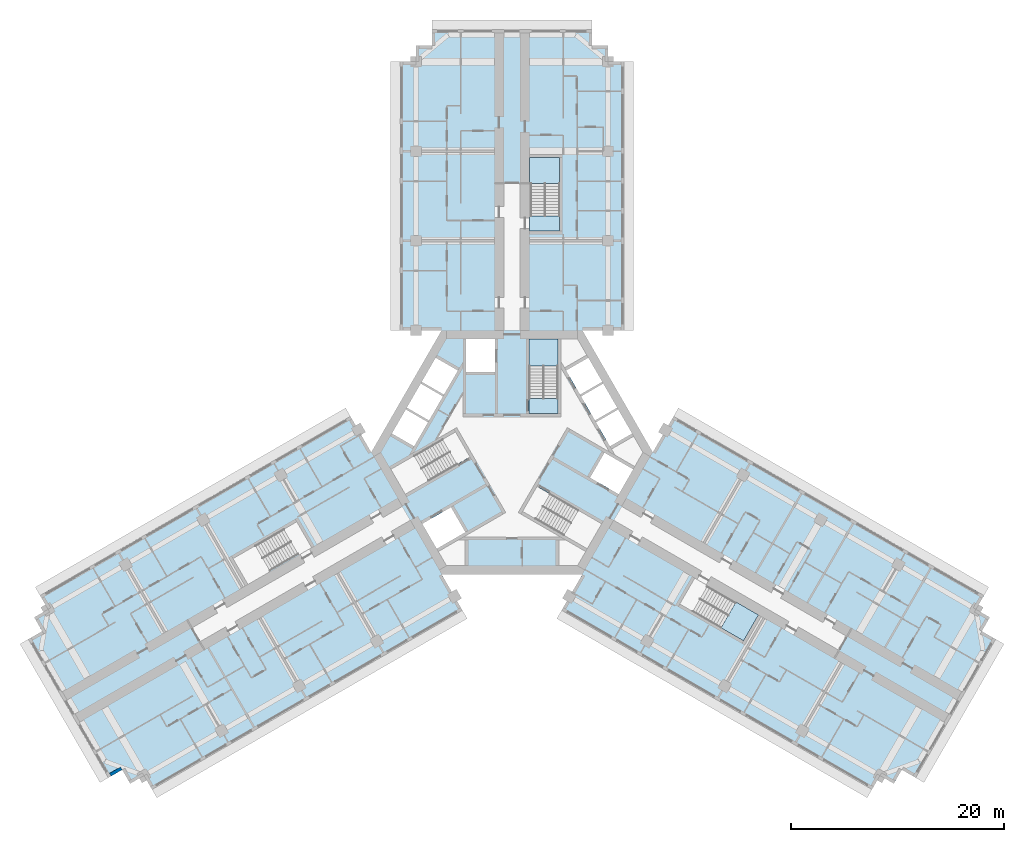
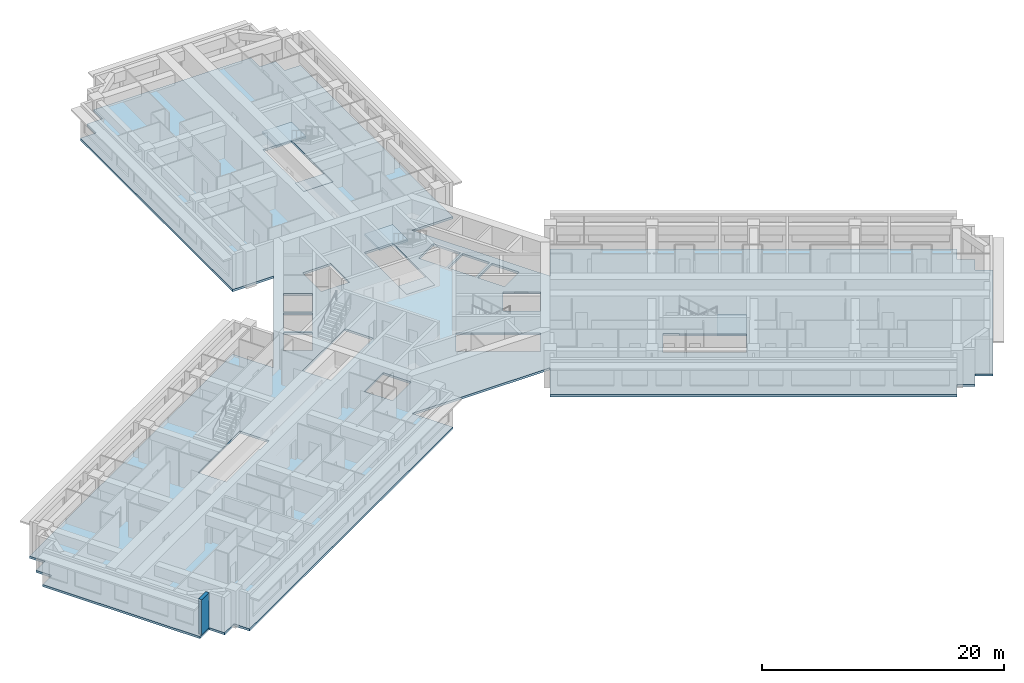
# One storey, part 2 of 14: 6 slabs, 1 wall, 3 elements without a shape of their own.
"""IFC4 building model written with IfcOpenShell, lengths in metres."""

from ifc_helpers import new_model, si_unit, direction, frame, frame_2d, origin, place, context, subcontext, project, spatial, polyline, rectangle, outline, extrude, material, layer, layer_set, type_object, element, aggregate, save


model = new_model("IFC4")

# Units and contexts
model_context = context("Model", 3, precision=1e-05, world=origin(), true_north=direction((0.0, 1.0)))
body_context = subcontext(model_context, "Body", "Model", "MODEL_VIEW")
ifc_project = project(units=[si_unit("LENGTHUNIT", "METRE"), si_unit("AREAUNIT", "SQUARE_METRE"), si_unit("VOLUMEUNIT", "CUBIC_METRE"), si_unit("PLANEANGLEUNIT", "RADIAN"), si_unit("MASSUNIT", "GRAM", prefix="KILO")], contexts=[model_context])

# Site, building, storey
site_placement = place(None, origin())
site = spatial("IfcSite", under=ifc_project, at=site_placement, CompositionType="ELEMENT")
building_placement = place(site_placement, origin())
building = spatial("IfcBuilding", under=site, at=building_placement, Name="Impinga Residences", CompositionType="ELEMENT")
storey_placement = place(building_placement, frame((0.0, 0.0, 117.25)))
storey = spatial("IfcBuildingStorey", under=building, at=storey_placement, Name="L28", CompositionType="ELEMENT", Elevation=117.25)

# Slab
ifc_material_1 = material(Name="Concrete C60/75", Category="concrete")
ifc_layer_1 = layer(ifc_material_1, 0.219970703125)
ifc_layer_set_1 = layer_set([ifc_layer_1], Name="Concrete C60/75")
slab_type_1 = type_object("IfcSlabType", Name="FS1 tower floor slab 220", PredefinedType="FLOOR", material=ifc_layer_set_1)
slab_1_placement = place(storey_placement, frame((0.0, 0.0, -0.219970703125)))
element("IfcSlab", 1, at=slab_1_placement, inside=storey, type_object=slab_type_1, Name="Floor slab FS1 L28", PredefinedType="FLOOR", context=body_context, shape_type="SweptSolid", body=[
    extrude(outline(polyline([(-34.49853515625, -30.31005859375), (-35.797607421875, -31.06005859375), (-36.547607421875, -29.760986328125), (-37.846435546875, -30.510986328125), (-45.346435546875, -17.5205078125), (-44.047607421875, -16.7705078125), (-44.797607421875, -15.471435546875), (-43.49853515625, -14.721435546875), (-44.24853515625, -13.422607421875), (-15.14990234375, 3.37744140625), (-13.199951171875, 0.0), (-6.60009765625, 11.431640625), (-10.5, 11.431640625), (-10.5, 36.631591796875), (-9.0, 36.631591796875), (-9.0, 38.131591796875), (-7.5, 38.131591796875), (-7.5, 39.631591796875), (7.5, 39.631591796875), (7.5, 38.131591796875), (9.0, 38.131591796875), (9.0, 36.631591796875), (10.5, 36.631591796875), (10.5, 11.431640625), (6.60009765625, 11.431640625), (13.199951171875, 0.0), (15.14990234375, 3.37744140625), (44.24853515625, -13.422607421875), (43.49853515625, -14.721435546875), (44.797607421875, -15.471435546875), (44.047607421875, -16.7705078125), (45.346435546875, -17.5205078125), (37.846435546875, -30.510986328125), (36.547607421875, -29.760986328125), (35.797607421875, -31.06005859375), (34.49853515625, -30.31005859375), (33.74853515625, -31.609130859375), (4.64990234375, -14.80908203125), (9.900146484375, -5.7158203125), (6.60009765625, -11.431640625), (-6.60009765625, -11.431640625), (-9.900146484375, -5.7158203125), (-4.64990234375, -14.80908203125), (-33.74853515625, -31.609130859375), (-34.49853515625, -30.31005859375)]), holes=[polyline([(-18.779052734375, -8.936767578125), (-18.8291015625, -8.850341796875), (-18.8291015625, -8.850341796875), (-20.178955078125, -6.511962890625), (-21.391357421875, -7.2119140625), (-21.391357421875, -7.2119140625), (-26.154541015625, -9.9619140625), (-24.8046875, -12.30029296875), (-20.04150390625, -9.55029296875), (-19.991455078125, -9.63671875), (-18.779052734375, -8.936767578125)]), polyline([(-4.37109375, -7.489013671875), (-5.72119140625, -5.150634765625), (-8.4072265625, -6.701416015625), (-7.05712890625, -9.039794921875), (-4.37109375, -7.489013671875)]), polyline([(-3.943603515625, -0.429443359375), (-5.293701171875, 1.908935546875), (-11.357177734375, -1.591796875), (-10.007080078125, -3.93017578125), (-3.943603515625, -0.429443359375)]), polyline([(-7.878662109375, 2.816650390625), (-9.957275390625, 4.016845703125), (-11.257080078125, 1.76513671875), (-9.1787109375, 0.56494140625), (-7.878662109375, 2.816650390625)]), polyline([(-6.478759765625, 5.24169921875), (-8.55712890625, 6.441650390625), (-9.857177734375, 4.18994140625), (-7.77880859375, 2.989990234375), (-6.478759765625, 5.24169921875)]), polyline([(4.300048828125, 3.6298828125), (4.300048828125, 10.631591796875), (1.60009765625, 10.631591796875), (1.60009765625, 3.6298828125), (4.300048828125, 3.6298828125)]), polyline([(-6.378662109375, 5.414794921875), (-5.07861328125, 7.66650390625), (-7.1572265625, 8.866455078125), (-8.457275390625, 6.61474609375), (-6.378662109375, 5.414794921875)]), polyline([(-4.300048828125, 7.530029296875), (-1.60009765625, 7.530029296875), (-1.60009765625, 10.631591796875), (-4.300048828125, 10.631591796875), (-4.300048828125, 7.530029296875)]), polyline([(4.449951171875, 20.7314453125), (4.449951171875, 22.131591796875), (4.449951171875, 27.631591796875), (1.75, 27.631591796875), (1.75, 22.131591796875), (1.64990234375, 22.131591796875), (1.64990234375, 20.7314453125), (1.75, 20.7314453125), (4.449951171875, 20.7314453125)]), polyline([(15.72900390625, -14.219482421875), (21.70458984375, -17.669677734375), (23.0546875, -15.331298828125), (18.29150390625, -12.581298828125), (18.341552734375, -12.49462890625), (17.129150390625, -11.794677734375), (15.72900390625, -14.219482421875)]), polyline([(2.34375, -3.20068359375), (0.99365234375, -5.538818359375), (7.05712890625, -9.039794921875), (8.4072265625, -6.701416015625), (2.34375, -3.20068359375)]), polyline([(7.3212890625, -2.37939453125), (10.007080078125, -3.93017578125), (11.357177734375, -1.591796875), (8.671142578125, -0.041015625), (7.3212890625, -2.37939453125)]), polyline([(7.878662109375, 2.816650390625), (9.1787109375, 0.56494140625), (11.257080078125, 1.76513671875), (9.957275390625, 4.016845703125), (7.878662109375, 2.816650390625)]), polyline([(6.478759765625, 5.24169921875), (7.77880859375, 2.989990234375), (9.857177734375, 4.18994140625), (8.55712890625, 6.441650390625), (6.478759765625, 5.24169921875)]), polyline([(6.378662109375, 5.414794921875), (8.457275390625, 6.61474609375), (7.1572265625, 8.866455078125), (5.07861328125, 7.66650390625), (6.378662109375, 5.414794921875)])]), origin(), (0.0, 0.0, 1.0), 0.219970703125),
])

# Stair, slabs
ifc_material_2 = material(Name="Concrete C40/50", Category="concrete")
stair_type_1 = type_object("IfcStairType", Name="STR core stair 3750 storey, 24 risers", PredefinedType="HALF_TURN_STAIR", material=ifc_material_2)
stair_1_placement = place(storey_placement, origin())
stair_1 = element("IfcStair", 2, at=stair_1_placement, inside=storey, type_object=stair_type_1, Name="Stair ST1 L28", PredefinedType="HALF_TURN_STAIR")
ifc_layer_2 = layer(ifc_material_2, 0.199951171875)
ifc_layer_set_2 = layer_set([ifc_layer_2], Name="Concrete C40/50")
slab_type_2 = type_object("IfcSlabType", Name="LS1 stair landing 200", PredefinedType="LANDING", material=ifc_layer_set_2)
slab_2_placement = place(storey_placement, frame((0.0, 0.0, -0.199951171875)))
slab_2 = element("IfcSlab", 3, at=slab_2_placement, type_object=slab_type_2, Name="ST1 landing 1", PredefinedType="LANDING", context=body_context, shape_type="SweptSolid", body=[
    extrude(outline(polyline([(1.60009765625, 3.6298828125), (4.300048828125, 3.6298828125), (4.300048828125, 5.0400390625), (1.60009765625, 5.0400390625), (1.60009765625, 3.6298828125)])), origin(), (0.0, 0.0, 1.0), 0.199951171875),
])
slab_3_placement = place(storey_placement, frame((0.0, 0.0, 1.675048828125)))
slab_3 = element("IfcSlab", 4, at=slab_3_placement, type_object=slab_type_2, Name="ST1 landing 2", PredefinedType="LANDING", context=body_context, shape_type="SweptSolid", body=[
    extrude(outline(polyline([(1.60009765625, 8.10009765625), (4.300048828125, 8.10009765625), (4.300048828125, 10.631591796875), (1.60009765625, 10.631591796875), (1.60009765625, 8.10009765625)])), origin(), (0.0, 0.0, 1.0), 0.199951171875),
])
aggregate(stair_1, [slab_2, slab_3])

stair_type_2 = type_object("IfcStairType", Name="STR wing stair 3750 storey, 24 risers", PredefinedType="HALF_TURN_STAIR", material=ifc_material_2)
stair_2_placement = place(storey_placement, origin())
stair_2 = element("IfcStair", 5, at=stair_2_placement, inside=storey, type_object=stair_type_2, Name="Stair WS1 L28", PredefinedType="HALF_TURN_STAIR")
slab_4_placement = place(storey_placement, frame((0.0, 0.0, -0.199951171875)))
slab_4 = element("IfcSlab", 6, at=slab_4_placement, type_object=slab_type_2, Name="WS1 landing 1", PredefinedType="LANDING", context=body_context, shape_type="SweptSolid", body=[
    extrude(outline(polyline([(1.64990234375, 20.7314453125), (4.449951171875, 20.7314453125), (4.449951171875, 22.1416015625), (1.64990234375, 22.1416015625), (1.64990234375, 20.7314453125)])), origin(), (0.0, 0.0, 1.0), 0.199951171875),
])
slab_5_placement = place(storey_placement, frame((0.0, 0.0, 1.675048828125)))
slab_5 = element("IfcSlab", 7, at=slab_5_placement, type_object=slab_type_2, Name="WS1 landing 2", PredefinedType="LANDING", context=body_context, shape_type="SweptSolid", body=[
    extrude(outline(polyline([(1.64990234375, 25.201416015625), (4.449951171875, 25.201416015625), (4.449951171875, 27.631591796875), (1.64990234375, 27.631591796875), (1.64990234375, 25.201416015625)])), origin(), (0.0, 0.0, 1.0), 0.199951171875),
])
aggregate(stair_2, [slab_4, slab_5])

# Stair, slab
stair_3_placement = place(storey_placement, origin())
stair_3 = element("IfcStair", 8, at=stair_3_placement, inside=storey, type_object=stair_type_2, Name="Stair WS3 L28", PredefinedType="HALF_TURN_STAIR")
slab_6_placement = place(storey_placement, frame((0.0, 0.0, 1.675048828125)))
slab_6 = element("IfcSlab", 9, at=slab_6_placement, type_object=slab_type_2, Name="WS3 landing 2", PredefinedType="LANDING", context=body_context, shape_type="SweptSolid", body=[
    extrude(outline(polyline([(21.000244140625, -14.02978515625), (19.60009765625, -16.45458984375), (21.70458984375, -17.669677734375), (23.1044921875, -15.24462890625), (21.000244140625, -14.02978515625)])), origin(), (0.0, 0.0, 1.0), 0.199951171875),
])
aggregate(stair_3, [slab_6])

# Wall
ifc_material_3 = material(Name="Terracotta rainscreen on blockwork", Category="masonry")
ifc_layer_3 = layer(ifc_material_3, 0.300048828125)
ifc_layer_set_3 = layer_set([ifc_layer_3], Name="EW1 external wall, terracotta rainscreen on blockwork 300")
wall_type = type_object("IfcWallType", Name="EW1 external wall, terracotta rainscreen on blockwork 300", PredefinedType="SOLIDWALL", material=ifc_layer_set_3)
wall_placement = place(storey_placement, frame((-36.626708984375, -29.633544921875, 0.0), z_axis=(0.0, 0.0, 1.0), x_axis=(-0.866059708757, -0.499940577336, 0.0)))
element("IfcWall", 10, at=wall_placement, inside=storey, type_object=wall_type, Name="External wall EW1 L28", PredefinedType="SOLIDWALL", context=body_context, shape_type="SweptSolid", body=[
    extrude(rectangle(XDim=1.195068359375, YDim=0.300048828125, at=frame_2d((0.59765625, 0.0))), origin(), (0.0, 0.0, 1.0), 3.530029296875),
])

save(model, "model.ifc")
